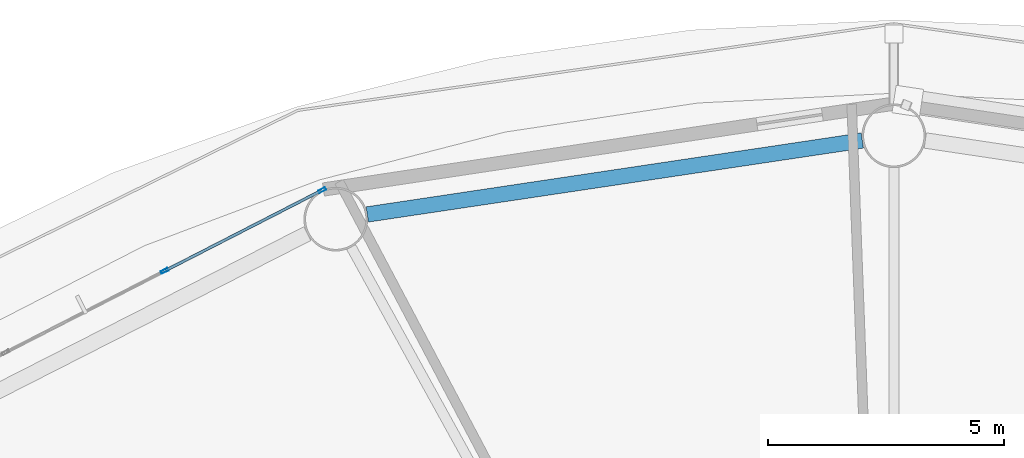
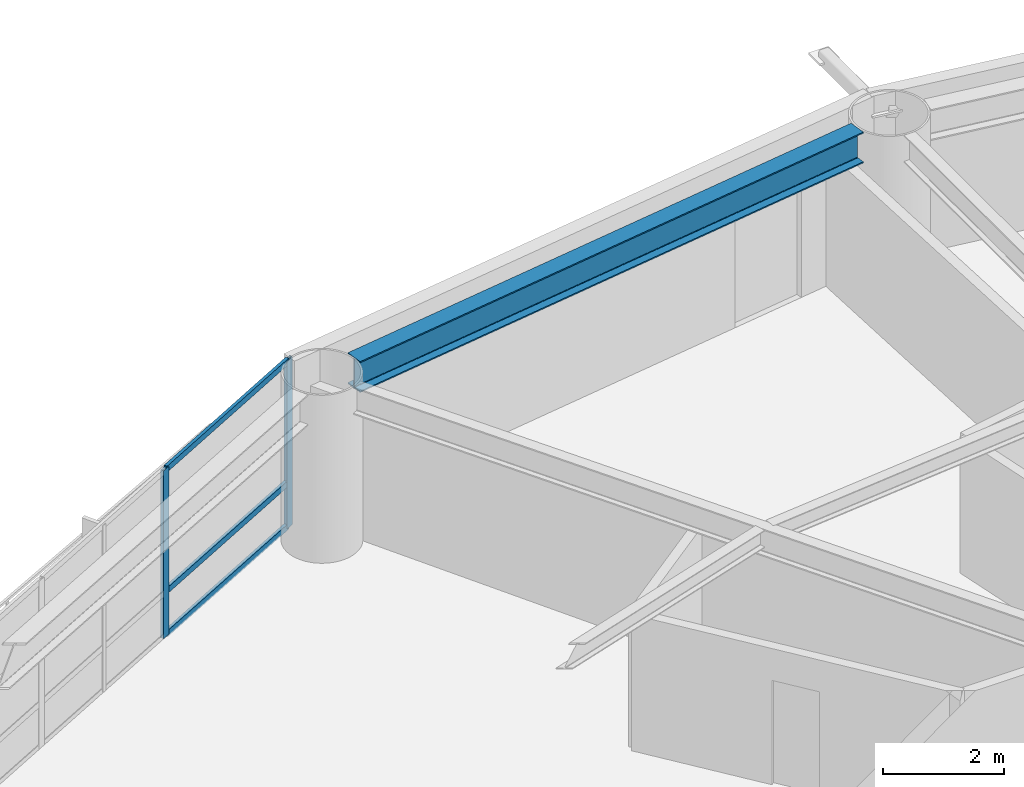
# One storey, part 12 of 26: 5 members, 1 beam, 1 element without a shape of its own.
"""IFC4 building model written with IfcOpenShell, lengths in metres."""

from ifc_helpers import new_model, si_unit, direction, frame, origin, origin_2d, place, context, subcontext, project, spatial, hollow_rectangle, i_section, extrude, material, layer, layer_set, material_profile, profile_set, type_object, element, aggregate, save


model = new_model("IFC4")

# Units and contexts
model_context = context("Model", 3, precision=1e-05, world=origin(), true_north=direction((0.0, 1.0)))
body_context = subcontext(model_context, "Body", "Model", "MODEL_VIEW")
ifc_project = project(units=[si_unit("LENGTHUNIT", "METRE"), si_unit("AREAUNIT", "SQUARE_METRE"), si_unit("VOLUMEUNIT", "CUBIC_METRE"), si_unit("PLANEANGLEUNIT", "RADIAN"), si_unit("MASSUNIT", "GRAM", prefix="KILO")], contexts=[model_context])

# Site, building, storey
site_placement = place(None, origin())
site = spatial("IfcSite", under=ifc_project, at=site_placement, CompositionType="ELEMENT")
building_placement = place(site_placement, origin())
building = spatial("IfcBuilding", under=site, at=building_placement, Name="Sarneth Arch Tower", CompositionType="ELEMENT")
storey_placement = place(building_placement, frame((0.0, 0.0, 39.0)))
storey = spatial("IfcBuildingStorey", under=building, at=storey_placement, Name="L08", CompositionType="ELEMENT", Elevation=39.0)

# Beam
ifc_material_1 = material(Name="Steel S355", Category="steel")
ifc_material_profile_1 = material_profile(ifc_material_1, i_section(OverallWidth=0.326904296875, OverallDepth=0.6220703125, WebThickness=0.015380859375, FlangeThickness=0.0244140625, FilletRadius=0.01904296875, at=origin_2d()), Name="W610x195")
ifc_profile_set_1 = profile_set([ifc_material_profile_1], Name="Steel S355")
beam_type = type_object("IfcBeamType", Name="BM-SPAN-610A", PredefinedType="SPANDREL", material=ifc_profile_set_1)
beam_placement = place(storey_placement, frame((47.33251953125, 65.100341796875, 3.069091796875), z_axis=(-0.989015788086, -0.147809914809, 0.0), x_axis=(0.147809914809, -0.989015788086, 0.0)))
element("IfcBeam", 1, at=beam_placement, inside=storey, type_object=beam_type, Name="L08 Perimeter spandrel beam 05", PredefinedType="SPANDREL", context=body_context, shape_type="SweptSolid", body=[
    extrude(i_section(OverallWidth=0.326904296875, OverallDepth=0.6220703125, WebThickness=0.015380859375, FlangeThickness=0.0244140625, FilletRadius=0.01904296875, at=origin_2d()), origin(), (0.0, 0.0, 1.0), 10.59912109375),
])

# Curtain wall, members
ifc_material_2 = material(Name="Anodised aluminium Type AA25 and solar-control low-e laminated IGU", Category="aluminium")
ifc_layer = layer(ifc_material_2, 0.159912109375)
ifc_layer_set = layer_set([ifc_layer], Name="Anodised aluminium Type AA25 and solar-control low-e laminated IGU")
curtain_wall_type = type_object("IfcCurtainWallType", Name="CW-HOTEL-LOW", PredefinedType="NOTDEFINED", material=ifc_layer_set)
curtain_wall_placement = place(storey_placement, origin())
curtain_wall = element("IfcCurtainWall", 2, at=curtain_wall_placement, inside=storey, type_object=curtain_wall_type, Name="L08 Unitised curtain wall facet 06", PredefinedType="NOTDEFINED")
ifc_material_3 = material(Name="Anodised Aluminium 6063-T6", Category="aluminium")
ifc_material_profile_2 = material_profile(ifc_material_3, hollow_rectangle(XDim=0.06005859375, YDim=0.159912109375, WallThickness=0.00390625, at=origin_2d()), Name="AL-MULL-160x60x4")
ifc_profile_set_2 = profile_set([ifc_material_profile_2], Name="Anodised Aluminium 6063-T6")
member_type_1 = type_object("IfcMemberType", Name="CW-MULLION", PredefinedType="MULLION", material=ifc_profile_set_2)
member_1_placement = place(storey_placement, frame((35.8955078125, 64.048583984375, 0.0), z_axis=(0.0, 0.0, 1.0), x_axis=(0.456245197127, -0.889854100456, 0.0)))
member_1 = element("IfcMember", 3, at=member_1_placement, type_object=member_type_1, Name="CW-SYS-3 mullion 1", PredefinedType="MULLION", context=body_context, shape_type="SweptSolid", body=[
    extrude(hollow_rectangle(XDim=0.06005859375, YDim=0.159912109375, WallThickness=0.00390625, at=origin_2d()), origin(), (0.0, 0.0, 1.0), 3.3798828125),
])
member_2_placement = place(storey_placement, frame((32.556640625, 62.336669921875, 0.0), z_axis=(0.0, 0.0, 1.0), x_axis=(0.456245197127, -0.889854100456, 0.0)))
member_2 = element("IfcMember", 4, at=member_2_placement, type_object=member_type_1, Name="CW-SYS-3 mullion 2", PredefinedType="MULLION", context=body_context, shape_type="SweptSolid", body=[
    extrude(hollow_rectangle(XDim=0.06005859375, YDim=0.159912109375, WallThickness=0.00390625, at=origin_2d()), origin(), (0.0, 0.0, 1.0), 3.3798828125),
])
ifc_material_4 = material(Name="Anodised Aluminium 6063-T6", Category="aluminium")
ifc_material_profile_3 = material_profile(ifc_material_4, hollow_rectangle(XDim=0.06005859375, YDim=0.1201171875, WallThickness=0.00390625, at=origin_2d()), Name="AL-TRAN-120x60x4")
ifc_profile_set_3 = profile_set([ifc_material_profile_3], Name="Anodised Aluminium 6063-T6")
member_type_2 = type_object("IfcMemberType", Name="CW-TRANSOM", PredefinedType="USERDEFINED", material=ifc_profile_set_3)
member_3_placement = place(storey_placement, frame((35.86865234375, 64.034912109375, 0.030029296875), z_axis=(-0.889831232102, -0.456289796485, 0.0), x_axis=(0.456289796485, -0.889831232102, 0.0)))
member_3 = element("IfcMember", 5, at=member_3_placement, type_object=member_type_2, Name="CW-SYS-3 transom 1.1", ObjectType="TRANSOM", PredefinedType="USERDEFINED", context=body_context, shape_type="SweptSolid", body=[
    extrude(hollow_rectangle(XDim=0.06005859375, YDim=0.1201171875, WallThickness=0.00390625, at=origin_2d()), origin(), (0.0, 0.0, 1.0), 3.69189453125),
])
member_4_placement = place(storey_placement, frame((35.86865234375, 64.034912109375, 0.89990234375), z_axis=(-0.889831232102, -0.456289796485, 0.0), x_axis=(0.456289796485, -0.889831232102, 0.0)))
member_4 = element("IfcMember", 6, at=member_4_placement, type_object=member_type_2, Name="CW-SYS-3 transom 1.2", ObjectType="TRANSOM", PredefinedType="USERDEFINED", context=body_context, shape_type="SweptSolid", body=[
    extrude(hollow_rectangle(XDim=0.06005859375, YDim=0.1201171875, WallThickness=0.00390625, at=origin_2d()), origin(), (0.0, 0.0, 1.0), 3.69189453125),
])
member_5_placement = place(storey_placement, frame((35.86865234375, 64.034912109375, 3.35009765625), z_axis=(-0.889831232102, -0.456289796485, 0.0), x_axis=(0.456289796485, -0.889831232102, 0.0)))
member_5 = element("IfcMember", 7, at=member_5_placement, type_object=member_type_2, Name="CW-SYS-3 transom 1.3", ObjectType="TRANSOM", PredefinedType="USERDEFINED", context=body_context, shape_type="SweptSolid", body=[
    extrude(hollow_rectangle(XDim=0.06005859375, YDim=0.1201171875, WallThickness=0.00390625, at=origin_2d()), origin(), (0.0, 0.0, 1.0), 3.69189453125),
])
aggregate(curtain_wall, [member_1, member_2, member_3, member_4, member_5])

save(model, "model.ifc")
